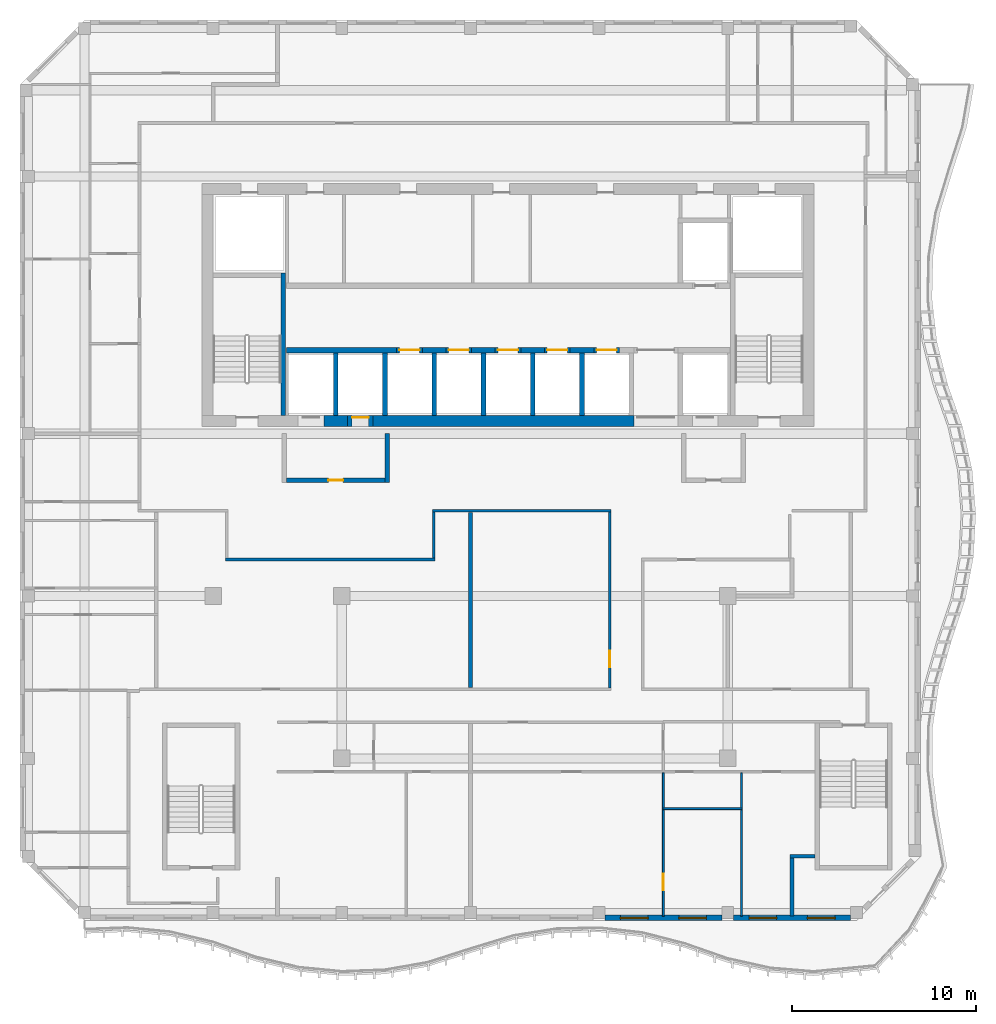
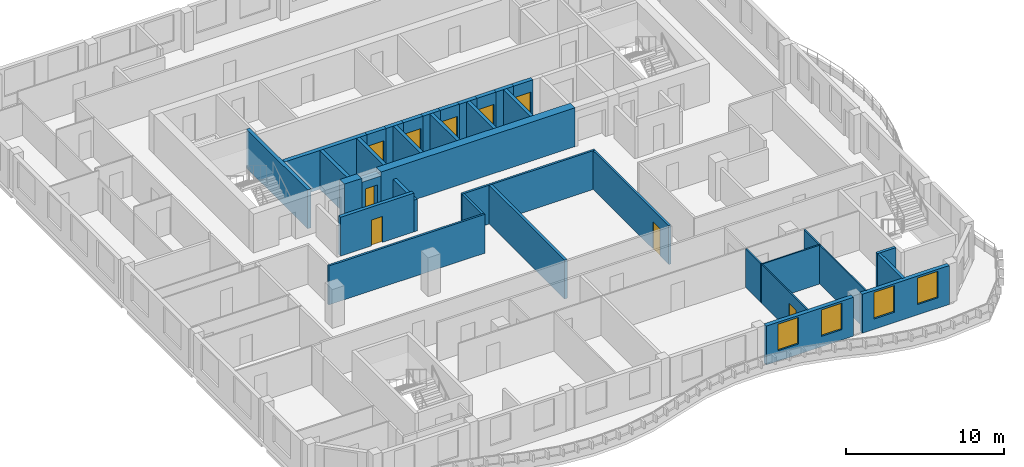
# One storey, part 4 of 13: 36 walls, 9 doors, 4 windows, 13 openings.
"""IFC4 building model written with IfcOpenShell, lengths in metres."""

from ifc_helpers import new_model, si_unit, direction, frame, frame_2d, origin, place, context, subcontext, project, spatial, rectangle, extrude, source, transform, mapped, material, layer, layer_set, type_object, element, fill, save


model = new_model("IFC4")

# Units and contexts
model_context = context("Model", 3, precision=1e-05, world=origin(), true_north=direction((0.0, 1.0)))
body_context = subcontext(model_context, "Body", "Model", "MODEL_VIEW")
ifc_project = project(units=[si_unit("LENGTHUNIT", "METRE"), si_unit("AREAUNIT", "SQUARE_METRE"), si_unit("VOLUMEUNIT", "CUBIC_METRE"), si_unit("PLANEANGLEUNIT", "RADIAN"), si_unit("MASSUNIT", "GRAM", prefix="KILO")], contexts=[model_context])

# Site, building, storey
site_placement = place(None, origin())
site = spatial("IfcSite", under=ifc_project, at=site_placement, CompositionType="ELEMENT")
building_placement = place(site_placement, origin())
building = spatial("IfcBuilding", under=site, at=building_placement, Name="Kilnfold Tower and Market Hall", CompositionType="ELEMENT")
storey_placement = place(building_placement, frame((0.0, 0.0, 287.39990234375)))
storey = spatial("IfcBuildingStorey", under=building, at=storey_placement, Name="L71", CompositionType="ELEMENT", Elevation=287.39990234375)

# Walls
ifc_material_1 = material(Name="Gypsum board on steel studs", Category="steel")
ifc_layer_1 = layer(ifc_material_1, 0.14990234375)
ifc_layer_set_1 = layer_set([ifc_layer_1], Name="Gypsum board on steel studs")
wall_type_1 = type_object("IfcWallType", Name="WALL CORRIDOR 150", PredefinedType="PARTITIONING", material=ifc_layer_set_1)
wall_1_placement = place(storey_placement, frame((-3.074951171875, 3.800048828125, 0.0), z_axis=(0.0, 0.0, 1.0), x_axis=(1.0, 0.0, 0.0)))
element("IfcWall", 1, at=wall_1_placement, inside=storey, type_object=wall_type_1, Name="Partition LY43.25", PredefinedType="PARTITIONING", context=body_context, shape_type="SweptSolid", body=[
    extrude(rectangle(XDim=9.72998046875, YDim=0.14990234375, at=frame_2d((4.864990234375, 0.0))), origin(), (0.0, 0.0, 1.0), 3.0),
])
wall_2_placement = place(storey_placement, frame((-3.0, 1.22509765625, 0.0), z_axis=(0.0, 0.0, 1.0), x_axis=(0.0, 1.0, 0.0)))
element("IfcWall", 2, at=wall_2_placement, inside=storey, type_object=wall_type_1, Name="Partition LY43.26", PredefinedType="PARTITIONING", context=body_context, shape_type="SweptSolid", body=[
    extrude(rectangle(XDim=2.5, YDim=0.14990234375, at=frame_2d((1.25, 0.0))), origin(), (0.0, 0.0, 1.0), 3.0),
])
wall_3_placement = place(storey_placement, frame((-14.3349609375, 1.14990234375, 0.0), z_axis=(0.0, 0.0, 1.0), x_axis=(1.0, 0.0, 0.0)))
element("IfcWall", 3, at=wall_3_placement, inside=storey, type_object=wall_type_1, Name="Partition LY43.27", PredefinedType="PARTITIONING", context=body_context, shape_type="SweptSolid", body=[
    extrude(rectangle(XDim=11.409912109375, YDim=0.14990234375, at=frame_2d((5.705078125, 0.0))), origin(), (0.0, 0.0, 1.0), 3.0),
])

# Wall, opening, door
wall_4_placement = place(storey_placement, frame((6.580078125, 3.72509765625, 0.0), z_axis=(0.0, 0.0, 1.0), x_axis=(0.0, -1.0, 0.0)))
wall_4 = element("IfcWall", 4, at=wall_4_placement, inside=storey, type_object=wall_type_1, Name="Partition LY43.29", PredefinedType="PARTITIONING", context=body_context, shape_type="SweptSolid", body=[
    extrude(rectangle(XDim=9.550048828125, YDim=0.14990234375, at=frame_2d((4.77490234375, 0.0))), origin(), (0.0, 0.0, 1.0), 3.0),
])
opening_1_placement = place(wall_4_placement, frame((7.544921875, 0.0, 0.0)))
opening_1 = element("IfcOpeningElement", 5, at=opening_1_placement, cuts=wall_4, Name="Opening D2", PredefinedType="OPENING", context=body_context, shape_type="SweptSolid", body=[
    extrude(rectangle(XDim=0.89990234375, YDim=2.10009765625, at=frame_2d((0.449951171875, 1.050048828125))), frame((0.0, 0.0849609375, 0.0), z_axis=(0.0, -1.0, 0.0), x_axis=(1.0, 0.0, 0.0)), (0.0, 0.0, 1.0), 0.169921875),
])
ifc_material_2 = material(Name="Timber veneer door leaf in steel frame", Category="steel")
door_type_1 = type_object("IfcDoorType", Name="DOOR ROOM 900 X2100", OperationType="NOTDEFINED", PredefinedType="DOOR", material=ifc_material_2)
door_1_placement = place(opening_1_placement, origin())
door_1 = element("IfcDoor", 6, at=door_1_placement, inside=storey, type_object=door_type_1, Name="Door D2", OperationType="SINGLE_SWING_RIGHT", OverallHeight=2.10009765625, OverallWidth=0.89990234375, PredefinedType="DOOR", context=body_context, shape_type="SweptSolid", body=[
    extrude(rectangle(XDim=0.89990234375, YDim=2.10009765625, at=frame_2d((0.449951171875, 1.050048828125))), frame((0.0, 0.02490234375, 0.0), z_axis=(0.0, -1.0, 0.0), x_axis=(1.0, 0.0, 0.0)), (0.0, 0.0, 1.0), 0.050048828125),
])
fill(opening_1, door_1)

ifc_material_3 = material(Name="Gypsum board on steel studs", Category="steel")
ifc_layer_2 = layer(ifc_material_3, 0.10009765625)
ifc_layer_set_2 = layer_set([ifc_layer_2], Name="Gypsum board on steel studs")
wall_type_2 = type_object("IfcWallType", Name="WALL PARTITION 100", PredefinedType="PARTITIONING", material=ifc_layer_set_2)
wall_5_placement = place(storey_placement, frame((9.5, -18.25, 0.0), z_axis=(0.0, 0.0, 1.0), x_axis=(0.0, 1.0, 0.0)))
wall_5 = element("IfcWall", 7, at=wall_5_placement, inside=storey, type_object=wall_type_2, Name="Partition LY43.54", PredefinedType="PARTITIONING", context=body_context, shape_type="SweptSolid", body=[
    extrude(rectangle(XDim=5.80908203125, YDim=0.10009765625, at=frame_2d((2.904541015625, 0.0))), origin(), (0.0, 0.0, 1.0), 3.0),
])
opening_2_placement = place(wall_5_placement, frame((1.402099609375, 0.0, 0.0)))
opening_2 = element("IfcOpeningElement", 8, at=opening_2_placement, cuts=wall_5, Name="Opening D2", PredefinedType="OPENING", context=body_context, shape_type="SweptSolid", body=[
    extrude(rectangle(XDim=0.89990234375, YDim=2.10009765625, at=frame_2d((0.449951171875, 1.050048828125))), frame((0.0, 0.06005859375, 0.0), z_axis=(0.0, -1.0, 0.0), x_axis=(1.0, 0.0, 0.0)), (0.0, 0.0, 1.0), 0.1201171875),
])
door_2_placement = place(opening_2_placement, origin())
door_2 = element("IfcDoor", 9, at=door_2_placement, inside=storey, type_object=door_type_1, Name="Door D2", OperationType="SINGLE_SWING_LEFT", OverallHeight=2.10009765625, OverallWidth=0.89990234375, PredefinedType="DOOR", context=body_context, shape_type="SweptSolid", body=[
    extrude(rectangle(XDim=0.89990234375, YDim=2.10009765625, at=frame_2d((0.449951171875, 1.050048828125))), frame((0.0, 0.02490234375, 0.0), z_axis=(0.0, -1.0, 0.0), x_axis=(1.0, 0.0, 0.0)), (0.0, 0.0, 1.0), 0.050048828125),
])
fill(opening_2, door_2)

# Walls
wall_6_placement = place(storey_placement, frame((9.5, -12.360107421875, 0.0), z_axis=(0.0, 0.0, 1.0), x_axis=(0.0, 1.0, 0.0)))
element("IfcWall", 10, at=wall_6_placement, inside=storey, type_object=wall_type_2, Name="Partition LY43.55", PredefinedType="PARTITIONING", context=body_context, shape_type="SweptSolid", body=[
    extrude(rectangle(XDim=1.908203125, YDim=0.10009765625, at=frame_2d((0.9541015625, 0.0))), origin(), (0.0, 0.0, 1.0), 3.0),
])
wall_7_placement = place(storey_placement, frame((13.75, -18.25, 0.0), z_axis=(0.0, 0.0, 1.0), x_axis=(0.0, 1.0, 0.0)))
element("IfcWall", 11, at=wall_7_placement, inside=storey, type_object=wall_type_2, Name="Partition LY43.56", PredefinedType="PARTITIONING", context=body_context, shape_type="SweptSolid", body=[
    extrude(rectangle(XDim=5.799072265625, YDim=0.10009765625, at=frame_2d((2.8994140625, 0.0))), origin(), (0.0, 0.0, 1.0), 3.0),
])
wall_8_placement = place(storey_placement, frame((13.800048828125, -12.40087890625, 0.0), z_axis=(0.0, 0.0, 1.0), x_axis=(-1.0, 0.0, 0.0)))
element("IfcWall", 12, at=wall_8_placement, inside=storey, type_object=wall_type_2, Name="Partition LY43.57", PredefinedType="PARTITIONING", context=body_context, shape_type="SweptSolid", body=[
    extrude(rectangle(XDim=4.35009765625, YDim=0.10009765625, at=frame_2d((2.175048828125, 0.0))), origin(), (0.0, 0.0, 1.0), 3.0),
])
wall_9_placement = place(storey_placement, frame((13.75, -12.360107421875, 0.0), z_axis=(0.0, 0.0, 1.0), x_axis=(0.0, 1.0, 0.0)))
element("IfcWall", 13, at=wall_9_placement, inside=storey, type_object=wall_type_2, Name="Partition LY43.60", PredefinedType="PARTITIONING", context=body_context, shape_type="SweptSolid", body=[
    extrude(rectangle(XDim=1.908203125, YDim=0.10009765625, at=frame_2d((0.9541015625, 0.0))), origin(), (0.0, 0.0, 1.0), 3.0),
])
ifc_material_4 = material(Name="Gypsum board on steel studs", Category="steel")
ifc_layer_3 = layer(ifc_material_4, 0.199951171875)
ifc_layer_set_3 = layer_set([ifc_layer_3], Name="Gypsum board on steel studs")
wall_type_3 = type_object("IfcWallType", Name="WALL PARTY 200", PredefinedType="PARTITIONING", material=ifc_layer_set_3)
wall_10_placement = place(storey_placement, frame((16.5, -18.25, 0.0), z_axis=(0.0, 0.0, 1.0), x_axis=(0.0, 1.0, 0.0)))
element("IfcWall", 14, at=wall_10_placement, inside=storey, type_object=wall_type_3, Name="Partition LY43.58", PredefinedType="PARTITIONING", context=body_context, shape_type="SweptSolid", body=[
    extrude(rectangle(XDim=3.14990234375, YDim=0.199951171875, at=frame_2d((1.574951171875, 0.0))), origin(), (0.0, 0.0, 1.0), 3.0),
])
wall_11_placement = place(storey_placement, frame((16.39990234375, -15.0, 0.0), z_axis=(0.0, 0.0, 1.0), x_axis=(1.0, 0.0, 0.0)))
element("IfcWall", 15, at=wall_11_placement, inside=storey, type_object=wall_type_3, Name="Partition LY43.59", PredefinedType="PARTITIONING", context=body_context, shape_type="SweptSolid", body=[
    extrude(rectangle(XDim=1.35009765625, YDim=0.199951171875, at=frame_2d((0.675048828125, 0.0))), origin(), (0.0, 0.0, 1.0), 3.0),
])
wall_12_placement = place(storey_placement, frame((-1.0, -5.822998046875, 0.0), z_axis=(0.0, 0.0, 1.0), x_axis=(0.0, 1.0, 0.0)))
element("IfcWall", 16, at=wall_12_placement, inside=storey, type_object=wall_type_3, Name="Partition LY43.82", PredefinedType="PARTITIONING", context=body_context, shape_type="SweptSolid", body=[
    extrude(rectangle(XDim=9.5458984375, YDim=0.199951171875, at=frame_2d((4.77294921875, 0.0))), origin(), (0.0, 0.0, 1.0), 3.0),
])
ifc_material_5 = material(Name="Concrete C50", Category="concrete")
ifc_layer_4 = layer(ifc_material_5, 0.25)
ifc_layer_set_4 = layer_set([ifc_layer_4], Name="Concrete C50")
wall_type_4 = type_object("IfcWallType", Name="CORE WALL 250 C50", PredefinedType="SHEAR", material=ifc_layer_set_4)
shared_shape_1 = source(origin(), body_context, "Body", "SweptSolid", [
    extrude(rectangle(XDim=7.75, YDim=0.25, at=frame_2d((3.875, 0.0))), origin(), (0.0, 0.0, 1.0), 3.0),
])
wall_13_placement = place(storey_placement, frame((-11.175048828125, 9.0, 0.0), z_axis=(0.0, 0.0, 1.0), x_axis=(0.0, 1.0, 0.0)))
element("IfcWall", 17, at=wall_13_placement, inside=storey, type_object=wall_type_4, Name="Stair enclosure ST1", PredefinedType="SHEAR", context=body_context, shape_type="MappedRepresentation", body=[
    mapped(shared_shape_1, transform((0.0, 0.0, 0.0))),
])
ifc_material_6 = material(Name="Concrete C50", Category="concrete")
ifc_layer_5 = layer(ifc_material_6, 0.300048828125)
ifc_layer_set_5 = layer_set([ifc_layer_5], Name="Concrete C50")
wall_type_5 = type_object("IfcWallType", Name="CORE WALL 300 C50", PredefinedType="SHEAR", material=ifc_layer_set_5)
shared_shape_2 = source(origin(), body_context, "Body", "SweptSolid", [
    extrude(rectangle(XDim=6.0, YDim=0.300048828125, at=frame_2d((3.0, 0.0))), origin(), (0.0, 0.0, 1.0), 3.0),
])
wall_14_placement = place(storey_placement, frame((-11.010009765625, 12.550048828125, 0.0), z_axis=(0.0, 0.0, 1.0), x_axis=(1.0, 0.0, 0.0)))
element("IfcWall", 18, at=wall_14_placement, inside=storey, type_object=wall_type_5, Name="Core spine wall", PredefinedType="SHEAR", context=body_context, shape_type="MappedRepresentation", body=[
    mapped(shared_shape_2, transform((0.0, 0.0, 0.0))),
])
shared_shape_3 = source(origin(), body_context, "Body", "SweptSolid", [
    extrude(rectangle(XDim=1.280029296875, YDim=0.300048828125, at=frame_2d((0.64013671875, 0.0))), origin(), (0.0, 0.0, 1.0), 3.0),
])
for number, where, z_axis, x_axis, name in (
    (19, (-3.610107421875, 12.550048828125, 0.0), (0.0, 0.0, 1.0), (1.0, 0.0, 0.0), "Core spine wall"),
    (20, (-0.929931640625, 12.550048828125, 0.0), (0.0, 0.0, 1.0), (1.0, 0.0, 0.0), "Core spine wall"),
    (21, (1.75, 12.550048828125, 0.0), (0.0, 0.0, 1.0), (1.0, 0.0, 0.0), "Core spine wall"),
    (22, (4.429931640625, 12.550048828125, 0.0), (0.0, 0.0, 1.0), (1.0, 0.0, 0.0), "Core spine wall"),
):
    element("IfcWall", number, at=place(storey_placement, frame(where, z_axis=z_axis, x_axis=x_axis)), inside=storey, type_object=wall_type_5, Name=name, PredefinedType="SHEAR", context=body_context, shape_type="MappedRepresentation", body=[
        mapped(shared_shape_3, transform((0.0, 0.0, 0.0))),
    ])
ifc_material_7 = material(Name="Concrete C50", Category="concrete")
ifc_layer_6 = layer(ifc_material_7, 0.60009765625)
ifc_layer_set_6 = layer_set([ifc_layer_6], Name="Concrete C50")
wall_type_6 = type_object("IfcWallType", Name="CORE WALL 600 C50", PredefinedType="SHEAR", material=ifc_layer_set_6)
shared_shape_4 = source(origin(), body_context, "Body", "SweptSolid", [
    extrude(rectangle(XDim=1.280029296875, YDim=0.60009765625, at=frame_2d((0.64013671875, 0.0))), origin(), (0.0, 0.0, 1.0), 3.0),
])
wall_15_placement = place(storey_placement, frame((-8.969970703125, 8.699951171875, 0.0), z_axis=(0.0, 0.0, 1.0), x_axis=(1.0, 0.0, 0.0)))
element("IfcWall", 23, at=wall_15_placement, inside=storey, type_object=wall_type_6, Name="Core outer wall south", PredefinedType="SHEAR", context=body_context, shape_type="MappedRepresentation", body=[
    mapped(shared_shape_4, transform((0.0, 0.0, 0.0))),
])
shared_shape_5 = source(origin(), body_context, "Body", "SweptSolid", [
    extrude(rectangle(XDim=14.179931640625, YDim=0.60009765625, at=frame_2d((7.08984375, 0.0))), origin(), (0.0, 0.0, 1.0), 3.0),
])
wall_16_placement = place(storey_placement, frame((-6.2900390625, 8.699951171875, 0.0), z_axis=(0.0, 0.0, 1.0), x_axis=(1.0, 0.0, 0.0)))
element("IfcWall", 24, at=wall_16_placement, inside=storey, type_object=wall_type_6, Name="Core outer wall south", PredefinedType="SHEAR", context=body_context, shape_type="MappedRepresentation", body=[
    mapped(shared_shape_5, transform((0.0, 0.0, 0.0))),
])

# Wall, openings, windows
ifc_material_8 = material(Name="Precast concrete C50/60", Category="concrete")
ifc_layer_7 = layer(ifc_material_8, 0.300048828125)
ifc_layer_set_7 = layer_set([ifc_layer_7], Name="Precast concrete C50/60")
wall_type_7 = type_object("IfcWallType", Name="PRECAST WALL 300", PredefinedType="SOLIDWALL", material=ifc_layer_set_7)
shared_shape_6 = source(origin(), body_context, "Body", "SweptSolid", [
    extrude(rectangle(XDim=6.35009765625, YDim=0.300048828125, at=frame_2d((3.175048828125, 0.0))), origin(), (0.0, 0.0, 1.0), 3.0),
])
wall_17_placement = place(storey_placement, frame((6.324951171875, -18.35009765625, 0.0), z_axis=(0.0, 0.0, 1.0), x_axis=(1.0, 0.0, 0.0)))
wall_17 = element("IfcWall", 25, at=wall_17_placement, inside=storey, type_object=wall_type_7, Name="External wall L71 S", PredefinedType="SOLIDWALL", context=body_context, shape_type="MappedRepresentation", body=[
    mapped(shared_shape_6, transform((0.0, 0.0, 0.0))),
])
opening_3_placement = place(wall_17_placement, frame((0.83740234375, 0.0, 0.800048828125)))
opening_3 = element("IfcOpeningElement", 26, at=opening_3_placement, cuts=wall_17, Name="Opening W5", PredefinedType="OPENING", context=body_context, shape_type="SweptSolid", body=[
    extrude(rectangle(XDim=1.5, YDim=2.050048828125, at=frame_2d((0.75, 1.02490234375))), frame((0.0, 0.16015625, 0.0), z_axis=(0.0, -1.0, 0.0), x_axis=(1.0, 0.0, 0.0)), (0.0, 0.0, 1.0), 0.320068359375),
])
opening_4_placement = place(wall_17_placement, frame((4.012451171875, 0.0, 0.800048828125)))
opening_4 = element("IfcOpeningElement", 27, at=opening_4_placement, cuts=wall_17, Name="Opening W5", PredefinedType="OPENING", context=body_context, shape_type="SweptSolid", body=[
    extrude(rectangle(XDim=1.5, YDim=2.050048828125, at=frame_2d((0.75, 1.02490234375))), frame((0.0, 0.16015625, 0.0), z_axis=(0.0, -1.0, 0.0), x_axis=(1.0, 0.0, 0.0)), (0.0, 0.0, 1.0), 0.320068359375),
])
ifc_material_9 = material(Name="Aluminium frame and double glazing", Category="aluminium")
window_type = type_object("IfcWindowType", Name="WINDOW W5 1500X2050", PartitioningType="SINGLE_PANEL", PredefinedType="WINDOW", material=ifc_material_9)
window_1_placement = place(opening_3_placement, origin())
window_1 = element("IfcWindow", 28, at=window_1_placement, inside=storey, type_object=window_type, Name="Window W5 L71 S-1", OverallHeight=2.050048828125, OverallWidth=1.5, PartitioningType="SINGLE_PANEL", PredefinedType="WINDOW", context=body_context, shape_type="SweptSolid", body=[
    extrude(rectangle(XDim=1.5, YDim=2.050048828125, at=frame_2d((0.75, 1.02490234375))), frame((0.0, 0.030029296875, 0.0), z_axis=(0.0, -1.0, 0.0), x_axis=(1.0, 0.0, 0.0)), (0.0, 0.0, 1.0), 0.06005859375),
])
fill(opening_3, window_1)
window_2_placement = place(opening_4_placement, origin())
window_2 = element("IfcWindow", 29, at=window_2_placement, inside=storey, type_object=window_type, Name="Window W5 L71 S-2", OverallHeight=2.050048828125, OverallWidth=1.5, PartitioningType="SINGLE_PANEL", PredefinedType="WINDOW", context=body_context, shape_type="SweptSolid", body=[
    extrude(rectangle(XDim=1.5, YDim=2.050048828125, at=frame_2d((0.75, 1.02490234375))), frame((0.0, 0.030029296875, 0.0), z_axis=(0.0, -1.0, 0.0), x_axis=(1.0, 0.0, 0.0)), (0.0, 0.0, 1.0), 0.06005859375),
])
fill(opening_4, window_2)

wall_18_placement = place(storey_placement, frame((13.324951171875, -18.35009765625, 0.0), z_axis=(0.0, 0.0, 1.0), x_axis=(1.0, 0.0, 0.0)))
wall_18 = element("IfcWall", 30, at=wall_18_placement, inside=storey, type_object=wall_type_7, Name="External wall L71 S", PredefinedType="SOLIDWALL", context=body_context, shape_type="MappedRepresentation", body=[
    mapped(shared_shape_6, transform((0.0, 0.0, 0.0))),
])
opening_5_placement = place(wall_18_placement, frame((0.83740234375, 0.0, 0.800048828125)))
opening_5 = element("IfcOpeningElement", 31, at=opening_5_placement, cuts=wall_18, Name="Opening W5", PredefinedType="OPENING", context=body_context, shape_type="SweptSolid", body=[
    extrude(rectangle(XDim=1.5, YDim=2.050048828125, at=frame_2d((0.75, 1.02490234375))), frame((0.0, 0.16015625, 0.0), z_axis=(0.0, -1.0, 0.0), x_axis=(1.0, 0.0, 0.0)), (0.0, 0.0, 1.0), 0.320068359375),
])
opening_6_placement = place(wall_18_placement, frame((4.012451171875, 0.0, 0.800048828125)))
opening_6 = element("IfcOpeningElement", 32, at=opening_6_placement, cuts=wall_18, Name="Opening W5", PredefinedType="OPENING", context=body_context, shape_type="SweptSolid", body=[
    extrude(rectangle(XDim=1.5, YDim=2.050048828125, at=frame_2d((0.75, 1.02490234375))), frame((0.0, 0.16015625, 0.0), z_axis=(0.0, -1.0, 0.0), x_axis=(1.0, 0.0, 0.0)), (0.0, 0.0, 1.0), 0.320068359375),
])
window_3_placement = place(opening_5_placement, origin())
window_3 = element("IfcWindow", 33, at=window_3_placement, inside=storey, type_object=window_type, Name="Window W5 L71 S-1", OverallHeight=2.050048828125, OverallWidth=1.5, PartitioningType="SINGLE_PANEL", PredefinedType="WINDOW", context=body_context, shape_type="SweptSolid", body=[
    extrude(rectangle(XDim=1.5, YDim=2.050048828125, at=frame_2d((0.75, 1.02490234375))), frame((0.0, 0.030029296875, 0.0), z_axis=(0.0, -1.0, 0.0), x_axis=(1.0, 0.0, 0.0)), (0.0, 0.0, 1.0), 0.06005859375),
])
fill(opening_5, window_3)
window_4_placement = place(opening_6_placement, origin())
window_4 = element("IfcWindow", 34, at=window_4_placement, inside=storey, type_object=window_type, Name="Window W5 L71 S-2", OverallHeight=2.050048828125, OverallWidth=1.5, PartitioningType="SINGLE_PANEL", PredefinedType="WINDOW", context=body_context, shape_type="SweptSolid", body=[
    extrude(rectangle(XDim=1.5, YDim=2.050048828125, at=frame_2d((0.75, 1.02490234375))), frame((0.0, 0.030029296875, 0.0), z_axis=(0.0, -1.0, 0.0), x_axis=(1.0, 0.0, 0.0)), (0.0, 0.0, 1.0), 0.06005859375),
])
fill(opening_6, window_4)

# Wall, opening, door
ifc_material_10 = material(Name="Gypsum shaft wall system")
ifc_layer_8 = layer(ifc_material_10, 0.300048828125)
ifc_layer_set_8 = layer_set([ifc_layer_8], Name="Gypsum shaft wall system")
wall_type_8 = type_object("IfcWallType", Name="SHAFT WALL 300", PredefinedType="PARTITIONING", material=ifc_layer_set_8)
shared_shape_7 = source(origin(), body_context, "Body", "SweptSolid", [
    extrude(rectangle(XDim=1.39990234375, YDim=0.300048828125, at=frame_2d((0.699951171875, 0.0))), origin(), (0.0, 0.0, 1.0), 3.0),
])
wall_19_placement = place(storey_placement, frame((-5.010009765625, 12.550048828125, 0.0), z_axis=(0.0, 0.0, 1.0), x_axis=(1.0, 0.0, 0.0)))
wall_19 = element("IfcWall", 35, at=wall_19_placement, inside=storey, type_object=wall_type_8, Name="Lift shaft front wall", PredefinedType="PARTITIONING", context=body_context, shape_type="MappedRepresentation", body=[
    mapped(shared_shape_7, transform((0.0, 0.0, 0.0))),
])
opening_7_placement = place(wall_19_placement, frame((0.14990234375, 0.0, 0.0)))
opening_7 = element("IfcOpeningElement", 36, at=opening_7_placement, cuts=wall_19, Name="Opening LD2", PredefinedType="OPENING", context=body_context, shape_type="SweptSolid", body=[
    extrude(rectangle(XDim=1.10009765625, YDim=2.10009765625, at=frame_2d((0.550048828125, 1.050048828125))), frame((0.0, 0.16015625, 0.0), z_axis=(0.0, -1.0, 0.0), x_axis=(1.0, 0.0, 0.0)), (0.0, 0.0, 1.0), 0.320068359375),
])
ifc_material_11 = material(Name="Steel door set with fire-resisting leaf", Category="steel")
door_type_2 = type_object("IfcDoorType", Name="LANDING DOOR 1100X2100", OperationType="NOTDEFINED", PredefinedType="DOOR", material=ifc_material_11)
door_3_placement = place(opening_7_placement, origin())
door_3 = element("IfcDoor", 37, at=door_3_placement, inside=storey, type_object=door_type_2, Name="Landing door HR1", OperationType="DOUBLE_DOOR_SLIDING", OverallHeight=2.10009765625, OverallWidth=1.10009765625, PredefinedType="DOOR", context=body_context, shape_type="SweptSolid", body=[
    extrude(rectangle(XDim=1.10009765625, YDim=2.10009765625, at=frame_2d((0.550048828125, 1.050048828125))), frame((0.0, 0.02490234375, 0.0), z_axis=(0.0, -1.0, 0.0), x_axis=(1.0, 0.0, 0.0)), (0.0, 0.0, 1.0), 0.050048828125),
])
fill(opening_7, door_3)

wall_20_placement = place(storey_placement, frame((0.35009765625, 12.550048828125, 0.0), z_axis=(0.0, 0.0, 1.0), x_axis=(1.0, 0.0, 0.0)))
wall_20 = element("IfcWall", 38, at=wall_20_placement, inside=storey, type_object=wall_type_8, Name="Lift shaft front wall", PredefinedType="PARTITIONING", context=body_context, shape_type="MappedRepresentation", body=[
    mapped(shared_shape_7, transform((0.0, 0.0, 0.0))),
])
opening_8_placement = place(wall_20_placement, frame((0.14990234375, 0.0, 0.0)))
opening_8 = element("IfcOpeningElement", 39, at=opening_8_placement, cuts=wall_20, Name="Opening LD2", PredefinedType="OPENING", context=body_context, shape_type="SweptSolid", body=[
    extrude(rectangle(XDim=1.10009765625, YDim=2.10009765625, at=frame_2d((0.550048828125, 1.050048828125))), frame((0.0, 0.16015625, 0.0), z_axis=(0.0, -1.0, 0.0), x_axis=(1.0, 0.0, 0.0)), (0.0, 0.0, 1.0), 0.320068359375),
])
door_4_placement = place(opening_8_placement, origin())
door_4 = element("IfcDoor", 40, at=door_4_placement, inside=storey, type_object=door_type_2, Name="Landing door HR3", OperationType="DOUBLE_DOOR_SLIDING", OverallHeight=2.10009765625, OverallWidth=1.10009765625, PredefinedType="DOOR", context=body_context, shape_type="SweptSolid", body=[
    extrude(rectangle(XDim=1.10009765625, YDim=2.10009765625, at=frame_2d((0.550048828125, 1.050048828125))), frame((0.0, 0.02490234375, 0.0), z_axis=(0.0, -1.0, 0.0), x_axis=(1.0, 0.0, 0.0)), (0.0, 0.0, 1.0), 0.050048828125),
])
fill(opening_8, door_4)

wall_21_placement = place(storey_placement, frame((3.030029296875, 12.550048828125, 0.0), z_axis=(0.0, 0.0, 1.0), x_axis=(1.0, 0.0, 0.0)))
wall_21 = element("IfcWall", 41, at=wall_21_placement, inside=storey, type_object=wall_type_8, Name="Lift shaft front wall", PredefinedType="PARTITIONING", context=body_context, shape_type="MappedRepresentation", body=[
    mapped(shared_shape_7, transform((0.0, 0.0, 0.0))),
])
opening_9_placement = place(wall_21_placement, frame((0.14990234375, 0.0, 0.0)))
opening_9 = element("IfcOpeningElement", 42, at=opening_9_placement, cuts=wall_21, Name="Opening LD2", PredefinedType="OPENING", context=body_context, shape_type="SweptSolid", body=[
    extrude(rectangle(XDim=1.10009765625, YDim=2.10009765625, at=frame_2d((0.550048828125, 1.050048828125))), frame((0.0, 0.16015625, 0.0), z_axis=(0.0, -1.0, 0.0), x_axis=(1.0, 0.0, 0.0)), (0.0, 0.0, 1.0), 0.320068359375),
])
door_5_placement = place(opening_9_placement, origin())
door_5 = element("IfcDoor", 43, at=door_5_placement, inside=storey, type_object=door_type_2, Name="Landing door HR4", OperationType="DOUBLE_DOOR_SLIDING", OverallHeight=2.10009765625, OverallWidth=1.10009765625, PredefinedType="DOOR", context=body_context, shape_type="SweptSolid", body=[
    extrude(rectangle(XDim=1.10009765625, YDim=2.10009765625, at=frame_2d((0.550048828125, 1.050048828125))), frame((0.0, 0.02490234375, 0.0), z_axis=(0.0, -1.0, 0.0), x_axis=(1.0, 0.0, 0.0)), (0.0, 0.0, 1.0), 0.050048828125),
])
fill(opening_9, door_5)

shared_shape_8 = source(origin(), body_context, "Body", "SweptSolid", [
    extrude(rectangle(XDim=1.400146484375, YDim=0.300048828125, at=frame_2d((0.7001953125, 0.0))), origin(), (0.0, 0.0, 1.0), 3.0),
])
wall_22_placement = place(storey_placement, frame((-2.330078125, 12.550048828125, 0.0), z_axis=(0.0, 0.0, 1.0), x_axis=(1.0, 0.0, 0.0)))
wall_22 = element("IfcWall", 44, at=wall_22_placement, inside=storey, type_object=wall_type_8, Name="Lift shaft front wall", PredefinedType="PARTITIONING", context=body_context, shape_type="MappedRepresentation", body=[
    mapped(shared_shape_8, transform((0.0, 0.0, 0.0))),
])
opening_10_placement = place(wall_22_placement, frame((0.14990234375, 0.0, 0.0)))
opening_10 = element("IfcOpeningElement", 45, at=opening_10_placement, cuts=wall_22, Name="Opening LD2", PredefinedType="OPENING", context=body_context, shape_type="SweptSolid", body=[
    extrude(rectangle(XDim=1.10009765625, YDim=2.10009765625, at=frame_2d((0.550048828125, 1.050048828125))), frame((0.0, 0.16015625, 0.0), z_axis=(0.0, -1.0, 0.0), x_axis=(1.0, 0.0, 0.0)), (0.0, 0.0, 1.0), 0.320068359375),
])
door_6_placement = place(opening_10_placement, origin())
door_6 = element("IfcDoor", 46, at=door_6_placement, inside=storey, type_object=door_type_2, Name="Landing door HR2", OperationType="DOUBLE_DOOR_SLIDING", OverallHeight=2.10009765625, OverallWidth=1.10009765625, PredefinedType="DOOR", context=body_context, shape_type="SweptSolid", body=[
    extrude(rectangle(XDim=1.10009765625, YDim=2.10009765625, at=frame_2d((0.550048828125, 1.050048828125))), frame((0.0, 0.02490234375, 0.0), z_axis=(0.0, -1.0, 0.0), x_axis=(1.0, 0.0, 0.0)), (0.0, 0.0, 1.0), 0.050048828125),
])
fill(opening_10, door_6)

wall_23_placement = place(storey_placement, frame((5.7099609375, 12.550048828125, 0.0), z_axis=(0.0, 0.0, 1.0), x_axis=(1.0, 0.0, 0.0)))
wall_23 = element("IfcWall", 47, at=wall_23_placement, inside=storey, type_object=wall_type_8, Name="Lift shaft front wall", PredefinedType="PARTITIONING", context=body_context, shape_type="MappedRepresentation", body=[
    mapped(shared_shape_8, transform((0.0, 0.0, 0.0))),
])
opening_11_placement = place(wall_23_placement, frame((0.14990234375, 0.0, 0.0)))
opening_11 = element("IfcOpeningElement", 48, at=opening_11_placement, cuts=wall_23, Name="Opening LD2", PredefinedType="OPENING", context=body_context, shape_type="SweptSolid", body=[
    extrude(rectangle(XDim=1.10009765625, YDim=2.10009765625, at=frame_2d((0.550048828125, 1.050048828125))), frame((0.0, 0.16015625, 0.0), z_axis=(0.0, -1.0, 0.0), x_axis=(1.0, 0.0, 0.0)), (0.0, 0.0, 1.0), 0.320068359375),
])
door_7_placement = place(opening_11_placement, origin())
door_7 = element("IfcDoor", 49, at=door_7_placement, inside=storey, type_object=door_type_2, Name="Landing door HR5", OperationType="DOUBLE_DOOR_SLIDING", OverallHeight=2.10009765625, OverallWidth=1.10009765625, PredefinedType="DOOR", context=body_context, shape_type="SweptSolid", body=[
    extrude(rectangle(XDim=1.10009765625, YDim=2.10009765625, at=frame_2d((0.550048828125, 1.050048828125))), frame((0.0, 0.02490234375, 0.0), z_axis=(0.0, -1.0, 0.0), x_axis=(1.0, 0.0, 0.0)), (0.0, 0.0, 1.0), 0.050048828125),
])
fill(opening_11, door_7)

ifc_material_12 = material(Name="Gypsum shaft wall system")
ifc_layer_9 = layer(ifc_material_12, 0.25)
ifc_layer_set_9 = layer_set([ifc_layer_9], Name="Gypsum shaft wall system")
wall_type_9 = type_object("IfcWallType", Name="LOBBY WALL 250", PredefinedType="PARTITIONING", material=ifc_layer_set_9)
shared_shape_9 = source(origin(), body_context, "Body", "SweptSolid", [
    extrude(rectangle(XDim=5.360107421875, YDim=0.25, at=frame_2d((2.68017578125, 0.0))), origin(), (0.0, 0.0, 1.0), 3.0),
])
wall_24_placement = place(storey_placement, frame((-11.010009765625, 5.47509765625, 0.0), z_axis=(0.0, 0.0, 1.0), x_axis=(1.0, 0.0, 0.0)))
wall_24 = element("IfcWall", 50, at=wall_24_placement, inside=storey, type_object=wall_type_9, Name="Firefighting lobby wall", PredefinedType="PARTITIONING", context=body_context, shape_type="MappedRepresentation", body=[
    mapped(shared_shape_9, transform((0.0, 0.0, 0.0))),
])
opening_12_placement = place(wall_24_placement, frame((2.280029296875, 0.0, 0.0)))
opening_12 = element("IfcOpeningElement", 51, at=opening_12_placement, cuts=wall_24, Name="Opening VD1", PredefinedType="OPENING", context=body_context, shape_type="SweptSolid", body=[
    extrude(rectangle(XDim=0.800048828125, YDim=2.0, at=frame_2d((0.39990234375, 1.0))), frame((0.0, 0.135009765625, 0.0), z_axis=(0.0, -1.0, 0.0), x_axis=(1.0, 0.0, 0.0)), (0.0, 0.0, 1.0), 0.27001953125),
])
ifc_material_13 = material(Name="Steel door set with fire-resisting leaf", Category="steel")
door_type_3 = type_object("IfcDoorType", Name="FIREFIGHTING LOBBY DOOR 800X2000", OperationType="NOTDEFINED", PredefinedType="DOOR", material=ifc_material_13)
door_8_placement = place(opening_12_placement, origin())
door_8 = element("IfcDoor", 52, at=door_8_placement, inside=storey, type_object=door_type_3, Name="Firefighting lobby door", OperationType="SINGLE_SWING_LEFT", OverallHeight=2.0, OverallWidth=0.800048828125, PredefinedType="DOOR", context=body_context, shape_type="SweptSolid", body=[
    extrude(rectangle(XDim=0.800048828125, YDim=2.0, at=frame_2d((0.39990234375, 1.0))), frame((0.0, 0.02490234375, 0.0), z_axis=(0.0, -1.0, 0.0), x_axis=(1.0, 0.0, 0.0)), (0.0, 0.0, 1.0), 0.050048828125),
])
fill(opening_12, door_8)

# Walls
ifc_material_14 = material(Name="Gypsum shaft wall system")
ifc_layer_10 = layer(ifc_material_14, 0.25)
ifc_layer_set_10 = layer_set([ifc_layer_10], Name="Gypsum shaft wall system")
wall_type_10 = type_object("IfcWallType", Name="SHAFT WALL 250", PredefinedType="PARTITIONING", material=ifc_layer_set_10)
shared_shape_10 = source(origin(), body_context, "Body", "SweptSolid", [
    extrude(rectangle(XDim=3.39990234375, YDim=0.25, at=frame_2d((1.699951171875, 0.0))), origin(), (0.0, 0.0, 1.0), 3.0),
])
for number, where, z_axis, x_axis, name in (
    (53, (2.389892578125, 9.0, 0.0), (0.0, 0.0, 1.0), (0.0, 1.0, 0.0), "Lift shaft wall"),
    (54, (5.070068359375, 9.0, 0.0), (0.0, 0.0, 1.0), (0.0, 1.0, 0.0), "Lift shaft wall"),
    (55, (-0.2900390625, 9.0, 0.0), (0.0, 0.0, 1.0), (0.0, 1.0, 0.0), "Lift shaft wall"),
    (56, (-2.969970703125, 9.0, 0.0), (0.0, 0.0, 1.0), (0.0, 1.0, 0.0), "Lift shaft wall"),
    (57, (-5.64990234375, 9.0, 0.0), (0.0, 0.0, 1.0), (0.0, 1.0, 0.0), "Lift shaft wall"),
    (58, (-8.330078125, 9.0, 0.0), (0.0, 0.0, 1.0), (0.0, 1.0, 0.0), "Lift shaft wall"),
):
    element("IfcWall", number, at=place(storey_placement, frame(where, z_axis=z_axis, x_axis=x_axis)), inside=storey, type_object=wall_type_10, Name=name, PredefinedType="PARTITIONING", context=body_context, shape_type="MappedRepresentation", body=[
        mapped(shared_shape_10, transform((0.0, 0.0, 0.0))),
    ])
shared_shape_11 = source(origin(), body_context, "Body", "SweptSolid", [
    extrude(rectangle(XDim=2.64990234375, YDim=0.25, at=frame_2d((1.324951171875, 0.0))), origin(), (0.0, 0.0, 1.0), 2.4501953125),
])
wall_25_placement = place(storey_placement, frame((-5.52490234375, 5.35009765625, 0.0), z_axis=(0.0, 0.0, 1.0), x_axis=(0.0, 1.0, 0.0)))
element("IfcWall", 59, at=wall_25_placement, inside=storey, type_object=wall_type_9, Name="Firefighting lobby wall", PredefinedType="PARTITIONING", context=body_context, shape_type="MappedRepresentation", body=[
    mapped(shared_shape_11, transform((0.0, 0.0, 0.0))),
])

# Wall, opening, door
ifc_material_15 = material(Name="Gypsum shaft wall system")
ifc_layer_11 = layer(ifc_material_15, 0.60009765625)
ifc_layer_set_11 = layer_set([ifc_layer_11], Name="Gypsum shaft wall system")
wall_type_11 = type_object("IfcWallType", Name="LOBBY WALL 600", PredefinedType="PARTITIONING", material=ifc_layer_set_11)
shared_shape_12 = source(origin(), body_context, "Body", "SweptSolid", [
    extrude(rectangle(XDim=1.39990234375, YDim=0.60009765625, at=frame_2d((0.699951171875, 0.0))), origin(), (0.0, 0.0, 1.0), 2.7001953125),
])
wall_26_placement = place(storey_placement, frame((-7.68994140625, 8.699951171875, 0.0), z_axis=(0.0, 0.0, 1.0), x_axis=(1.0, 0.0, 0.0)))
wall_26 = element("IfcWall", 60, at=wall_26_placement, inside=storey, type_object=wall_type_11, Name="Core wall infill", PredefinedType="PARTITIONING", context=body_context, shape_type="MappedRepresentation", body=[
    mapped(shared_shape_12, transform((0.0, 0.0, 0.0))),
])
opening_13_placement = place(wall_26_placement, frame((0.25, 0.0, 0.0)))
opening_13 = element("IfcOpeningElement", 61, at=opening_13_placement, cuts=wall_26, Name="Opening LD1", PredefinedType="OPENING", context=body_context, shape_type="SweptSolid", body=[
    extrude(rectangle(XDim=0.89990234375, YDim=2.10009765625, at=frame_2d((0.449951171875, 1.050048828125))), frame((0.0, 0.31005859375, 0.0), z_axis=(0.0, -1.0, 0.0), x_axis=(1.0, 0.0, 0.0)), (0.0, 0.0, 1.0), 0.6201171875),
])
ifc_material_16 = material(Name="Steel door set with fire-resisting leaf", Category="steel")
door_type_4 = type_object("IfcDoorType", Name="FIREFIGHTING LANDING DOOR 900X2100", OperationType="NOTDEFINED", PredefinedType="DOOR", material=ifc_material_16)
door_9_placement = place(opening_13_placement, origin())
door_9 = element("IfcDoor", 62, at=door_9_placement, inside=storey, type_object=door_type_4, Name="Landing door FF2", OperationType="SLIDING_TO_RIGHT", OverallHeight=2.10009765625, OverallWidth=0.89990234375, PredefinedType="DOOR", context=body_context, shape_type="SweptSolid", body=[
    extrude(rectangle(XDim=0.89990234375, YDim=2.10009765625, at=frame_2d((0.449951171875, 1.050048828125))), frame((0.0, 0.205078125, 0.0), z_axis=(0.0, -1.0, 0.0), x_axis=(1.0, 0.0, 0.0)), (0.0, 0.0, 1.0), 0.050048828125),
])
fill(opening_13, door_9)

save(model, "model.ifc")
